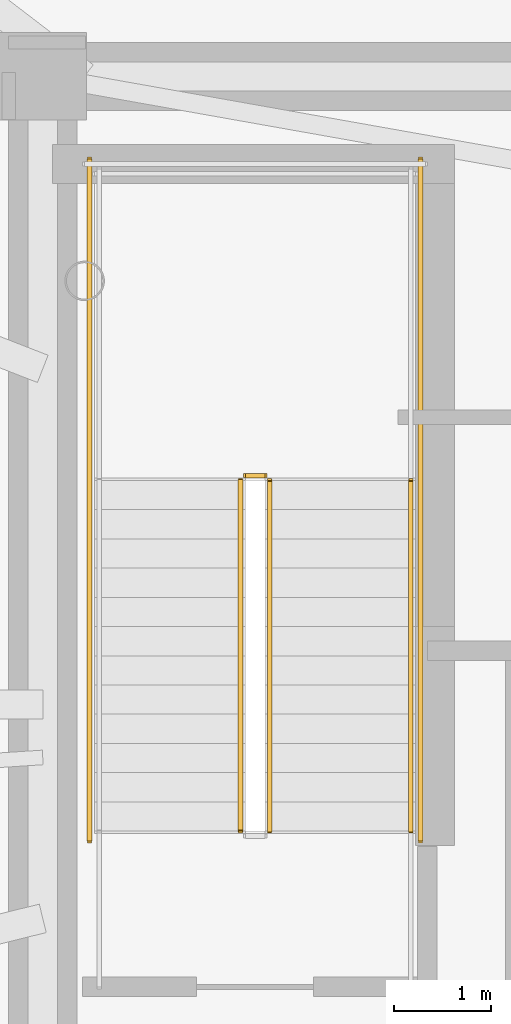
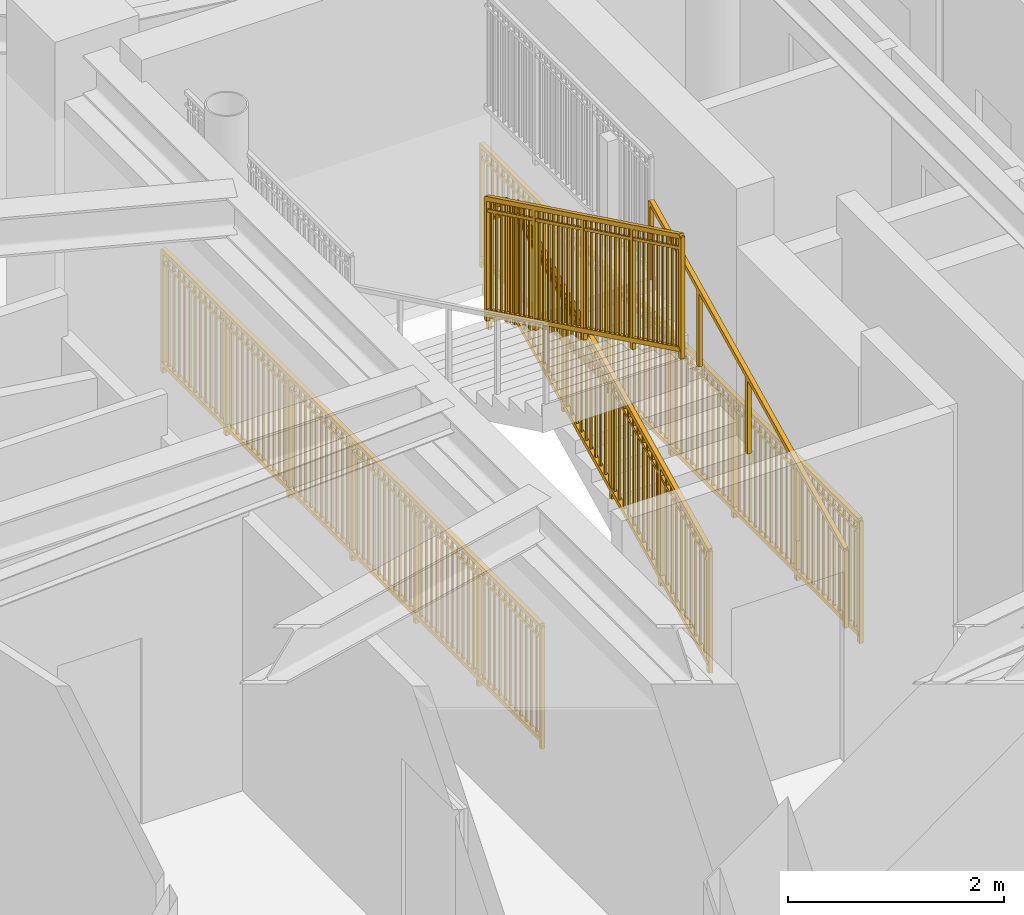
# One storey, part 15 of 17: 6 railings.
"""IFC4 building model written with IfcOpenShell, lengths in metres."""

from ifc_helpers import new_model, si_unit, direction, frame, origin, origin_2d, place, context, subcontext, project, spatial, rectangle, extrude, source, transform, mapped, material, type_object, element, save


model = new_model("IFC4")

# Units and contexts
model_context = context("Model", 3, precision=1e-05, world=origin(), true_north=direction((0.0, 1.0)))
body_context = subcontext(model_context, "Body", "Model", "MODEL_VIEW")
ifc_project = project(units=[si_unit("LENGTHUNIT", "METRE"), si_unit("AREAUNIT", "SQUARE_METRE"), si_unit("VOLUMEUNIT", "CUBIC_METRE"), si_unit("PLANEANGLEUNIT", "RADIAN"), si_unit("MASSUNIT", "GRAM", prefix="KILO")], contexts=[model_context])

# Site, building, storey
site_placement = place(None, origin())
site = spatial("IfcSite", under=ifc_project, at=site_placement, CompositionType="ELEMENT")
building_placement = place(site_placement, origin())
building = spatial("IfcBuilding", under=site, at=building_placement, Name="Linh Dai School and Residence Tower", CompositionType="ELEMENT")
storey_placement = place(building_placement, frame((0.0, 0.0, 324.0)))
storey = spatial("IfcBuildingStorey", under=building, at=storey_placement, Name="L80", CompositionType="ELEMENT", Elevation=324.0)

# Railings
ifc_material_1 = material(Name="Structural Steel S355JR", Category="steel")
railing_type_1 = type_object("IfcRailingType", Name="RL-ST-GUARD-1400", PredefinedType="GUARDRAIL", material=ifc_material_1)
shared_shape_1 = source(origin(), body_context, "Body", "SweptSolid", [
    extrude(rectangle(XDim=0.048095703125, YDim=0.048095703125, at=origin_2d()), frame((0.0, 0.0, 1.3759765625), z_axis=(-1.0, 0.0, 0.0), x_axis=(0.0, -1.0, 0.0)), (0.0, 0.0, 1.0), 0.199951171875),
    extrude(rectangle(XDim=0.048095703125, YDim=0.048095703125, at=origin_2d()), frame((0.0, 0.0, 0.10009765625), z_axis=(-1.0, 0.0, 0.0), x_axis=(0.0, -1.0, 0.0)), (0.0, 0.0, 1.0), 0.199951171875),
    extrude(rectangle(XDim=0.030029296875, YDim=0.030029296875, at=origin_2d()), frame((0.0, 0.0, 1.239990234375), z_axis=(-1.0, 0.0, 0.0), x_axis=(0.0, -1.0, 0.0)), (0.0, 0.0, 1.0), 0.199951171875),
    extrude(rectangle(XDim=0.0419921875, YDim=0.0419921875, at=origin_2d()), origin(), (0.0, 0.0, 1.0), 1.3759765625),
    extrude(rectangle(XDim=0.0419921875, YDim=0.0419921875, at=origin_2d()), frame((-0.199951171875, 0.0, 0.0)), (0.0, 0.0, 1.0), 1.3759765625),
])
railing_1_placement = place(storey_placement, frame((29.429931640625, 29.35009765625, 1.89990234375)))
element("IfcRailing", 1, at=railing_1_placement, inside=storey, type_object=railing_type_1, Name="L80 ST1 stair guard 2", PredefinedType="GUARDRAIL", context=body_context, shape_type="MappedRepresentation", body=[
    mapped(shared_shape_1, transform((0.0, 0.0, 0.0), x_axis=(1.0, 0.0, 0.0), y_axis=(0.0, 1.0, 0.0), z_axis=(0.0, 0.0, 1.0), scale=1.0)),
])
shared_shape_2 = source(origin(), body_context, "Body", "SweptSolid", [
    extrude(rectangle(XDim=0.048095703125, YDim=0.048095703125, at=origin_2d()), frame((0.0, 0.0, 1.3759765625), z_axis=(0.0, 1.0, 0.0), x_axis=(-1.0, 0.0, 0.0)), (0.0, 0.0, 1.0), 7.0),
    extrude(rectangle(XDim=0.048095703125, YDim=0.048095703125, at=origin_2d()), frame((0.0, 0.0, 0.10009765625), z_axis=(0.0, 1.0, 0.0), x_axis=(-1.0, 0.0, 0.0)), (0.0, 0.0, 1.0), 7.0),
    extrude(rectangle(XDim=0.030029296875, YDim=0.030029296875, at=origin_2d()), frame((0.0, 0.0, 1.239990234375), z_axis=(0.0, 1.0, 0.0), x_axis=(-1.0, 0.0, 0.0)), (0.0, 0.0, 1.0), 7.0),
    extrude(rectangle(XDim=0.02001953125, YDim=0.02001953125, at=origin_2d()), frame((0.0, 0.09716796875, 0.10009765625)), (0.0, 0.0, 1.0), 1.251708984375),
    extrude(rectangle(XDim=0.02001953125, YDim=0.02001953125, at=origin_2d()), frame((0.0, 0.1943359375, 0.10009765625)), (0.0, 0.0, 1.0), 1.251708984375),
    extrude(rectangle(XDim=0.02001953125, YDim=0.02001953125, at=origin_2d()), frame((0.0, 0.291748046875, 0.10009765625)), (0.0, 0.0, 1.0), 1.251708984375),
    extrude(rectangle(XDim=0.02001953125, YDim=0.02001953125, at=origin_2d()), frame((0.0, 0.388916015625, 0.10009765625)), (0.0, 0.0, 1.0), 1.251708984375),
    extrude(rectangle(XDim=0.02001953125, YDim=0.02001953125, at=origin_2d()), frame((0.0, 0.486083984375, 0.10009765625)), (0.0, 0.0, 1.0), 1.251708984375),
    extrude(rectangle(XDim=0.02001953125, YDim=0.02001953125, at=origin_2d()), frame((0.0, 0.583251953125, 0.10009765625)), (0.0, 0.0, 1.0), 1.251708984375),
    extrude(rectangle(XDim=0.02001953125, YDim=0.02001953125, at=origin_2d()), frame((0.0, 0.6806640625, 0.10009765625)), (0.0, 0.0, 1.0), 1.251708984375),
    extrude(rectangle(XDim=0.02001953125, YDim=0.02001953125, at=origin_2d()), frame((0.0, 0.77783203125, 0.10009765625)), (0.0, 0.0, 1.0), 1.251708984375),
    extrude(rectangle(XDim=0.02001953125, YDim=0.02001953125, at=origin_2d()), frame((0.0, 0.875, 0.10009765625)), (0.0, 0.0, 1.0), 1.251708984375),
    extrude(rectangle(XDim=0.02001953125, YDim=0.02001953125, at=origin_2d()), frame((0.0, 0.97216796875, 0.10009765625)), (0.0, 0.0, 1.0), 1.251708984375),
    extrude(rectangle(XDim=0.02001953125, YDim=0.02001953125, at=origin_2d()), frame((0.0, 1.0693359375, 0.10009765625)), (0.0, 0.0, 1.0), 1.251708984375),
    extrude(rectangle(XDim=0.02001953125, YDim=0.02001953125, at=origin_2d()), frame((0.0, 1.263916015625, 0.10009765625)), (0.0, 0.0, 1.0), 1.251708984375),
    extrude(rectangle(XDim=0.02001953125, YDim=0.02001953125, at=origin_2d()), frame((0.0, 1.361083984375, 0.10009765625)), (0.0, 0.0, 1.0), 1.251708984375),
    extrude(rectangle(XDim=0.02001953125, YDim=0.02001953125, at=origin_2d()), frame((0.0, 1.458251953125, 0.10009765625)), (0.0, 0.0, 1.0), 1.251708984375),
    extrude(rectangle(XDim=0.02001953125, YDim=0.02001953125, at=origin_2d()), frame((0.0, 1.5556640625, 0.10009765625)), (0.0, 0.0, 1.0), 1.251708984375),
    extrude(rectangle(XDim=0.02001953125, YDim=0.02001953125, at=origin_2d()), frame((0.0, 1.65283203125, 0.10009765625)), (0.0, 0.0, 1.0), 1.251708984375),
    extrude(rectangle(XDim=0.02001953125, YDim=0.02001953125, at=origin_2d()), frame((0.0, 1.75, 0.10009765625)), (0.0, 0.0, 1.0), 1.251708984375),
    extrude(rectangle(XDim=0.02001953125, YDim=0.02001953125, at=origin_2d()), frame((0.0, 1.84716796875, 0.10009765625)), (0.0, 0.0, 1.0), 1.251708984375),
    extrude(rectangle(XDim=0.02001953125, YDim=0.02001953125, at=origin_2d()), frame((0.0, 1.9443359375, 0.10009765625)), (0.0, 0.0, 1.0), 1.251708984375),
    extrude(rectangle(XDim=0.02001953125, YDim=0.02001953125, at=origin_2d()), frame((0.0, 2.041748046875, 0.10009765625)), (0.0, 0.0, 1.0), 1.251708984375),
    extrude(rectangle(XDim=0.02001953125, YDim=0.02001953125, at=origin_2d()), frame((0.0, 2.138916015625, 0.10009765625)), (0.0, 0.0, 1.0), 1.251708984375),
    extrude(rectangle(XDim=0.02001953125, YDim=0.02001953125, at=origin_2d()), frame((0.0, 2.236083984375, 0.10009765625)), (0.0, 0.0, 1.0), 1.251708984375),
    extrude(rectangle(XDim=0.02001953125, YDim=0.02001953125, at=origin_2d()), frame((0.0, 2.4306640625, 0.10009765625)), (0.0, 0.0, 1.0), 1.251708984375),
    extrude(rectangle(XDim=0.02001953125, YDim=0.02001953125, at=origin_2d()), frame((0.0, 2.52783203125, 0.10009765625)), (0.0, 0.0, 1.0), 1.251708984375),
    extrude(rectangle(XDim=0.02001953125, YDim=0.02001953125, at=origin_2d()), frame((0.0, 2.625, 0.10009765625)), (0.0, 0.0, 1.0), 1.251708984375),
    extrude(rectangle(XDim=0.02001953125, YDim=0.02001953125, at=origin_2d()), frame((0.0, 2.72216796875, 0.10009765625)), (0.0, 0.0, 1.0), 1.251708984375),
    extrude(rectangle(XDim=0.02001953125, YDim=0.02001953125, at=origin_2d()), frame((0.0, 2.8193359375, 0.10009765625)), (0.0, 0.0, 1.0), 1.251708984375),
    extrude(rectangle(XDim=0.02001953125, YDim=0.02001953125, at=origin_2d()), frame((0.0, 2.916748046875, 0.10009765625)), (0.0, 0.0, 1.0), 1.251708984375),
    extrude(rectangle(XDim=0.02001953125, YDim=0.02001953125, at=origin_2d()), frame((0.0, 3.013916015625, 0.10009765625)), (0.0, 0.0, 1.0), 1.251708984375),
    extrude(rectangle(XDim=0.02001953125, YDim=0.02001953125, at=origin_2d()), frame((0.0, 3.111083984375, 0.10009765625)), (0.0, 0.0, 1.0), 1.251708984375),
    extrude(rectangle(XDim=0.02001953125, YDim=0.02001953125, at=origin_2d()), frame((0.0, 3.208251953125, 0.10009765625)), (0.0, 0.0, 1.0), 1.251708984375),
    extrude(rectangle(XDim=0.02001953125, YDim=0.02001953125, at=origin_2d()), frame((0.0, 3.3056640625, 0.10009765625)), (0.0, 0.0, 1.0), 1.251708984375),
    extrude(rectangle(XDim=0.02001953125, YDim=0.02001953125, at=origin_2d()), frame((0.0, 3.40283203125, 0.10009765625)), (0.0, 0.0, 1.0), 1.251708984375),
    extrude(rectangle(XDim=0.02001953125, YDim=0.02001953125, at=origin_2d()), frame((0.0, 3.59716796875, 0.10009765625)), (0.0, 0.0, 1.0), 1.251708984375),
    extrude(rectangle(XDim=0.02001953125, YDim=0.02001953125, at=origin_2d()), frame((0.0, 3.6943359375, 0.10009765625)), (0.0, 0.0, 1.0), 1.251708984375),
    extrude(rectangle(XDim=0.02001953125, YDim=0.02001953125, at=origin_2d()), frame((0.0, 3.791748046875, 0.10009765625)), (0.0, 0.0, 1.0), 1.251708984375),
    extrude(rectangle(XDim=0.02001953125, YDim=0.02001953125, at=origin_2d()), frame((0.0, 3.888916015625, 0.10009765625)), (0.0, 0.0, 1.0), 1.251708984375),
    extrude(rectangle(XDim=0.02001953125, YDim=0.02001953125, at=origin_2d()), frame((0.0, 3.986083984375, 0.10009765625)), (0.0, 0.0, 1.0), 1.251708984375),
    extrude(rectangle(XDim=0.02001953125, YDim=0.02001953125, at=origin_2d()), frame((0.0, 4.083251953125, 0.10009765625)), (0.0, 0.0, 1.0), 1.251708984375),
    extrude(rectangle(XDim=0.02001953125, YDim=0.02001953125, at=origin_2d()), frame((0.0, 4.1806640625, 0.10009765625)), (0.0, 0.0, 1.0), 1.251708984375),
    extrude(rectangle(XDim=0.02001953125, YDim=0.02001953125, at=origin_2d()), frame((0.0, 4.27783203125, 0.10009765625)), (0.0, 0.0, 1.0), 1.251708984375),
    extrude(rectangle(XDim=0.02001953125, YDim=0.02001953125, at=origin_2d()), frame((0.0, 4.375, 0.10009765625)), (0.0, 0.0, 1.0), 1.251708984375),
    extrude(rectangle(XDim=0.02001953125, YDim=0.02001953125, at=origin_2d()), frame((0.0, 4.47216796875, 0.10009765625)), (0.0, 0.0, 1.0), 1.251708984375),
    extrude(rectangle(XDim=0.02001953125, YDim=0.02001953125, at=origin_2d()), frame((0.0, 4.5693359375, 0.10009765625)), (0.0, 0.0, 1.0), 1.251708984375),
    extrude(rectangle(XDim=0.02001953125, YDim=0.02001953125, at=origin_2d()), frame((0.0, 4.763916015625, 0.10009765625)), (0.0, 0.0, 1.0), 1.251708984375),
    extrude(rectangle(XDim=0.02001953125, YDim=0.02001953125, at=origin_2d()), frame((0.0, 4.861083984375, 0.10009765625)), (0.0, 0.0, 1.0), 1.251708984375),
    extrude(rectangle(XDim=0.02001953125, YDim=0.02001953125, at=origin_2d()), frame((0.0, 4.958251953125, 0.10009765625)), (0.0, 0.0, 1.0), 1.251708984375),
    extrude(rectangle(XDim=0.02001953125, YDim=0.02001953125, at=origin_2d()), frame((0.0, 5.0556640625, 0.10009765625)), (0.0, 0.0, 1.0), 1.251708984375),
    extrude(rectangle(XDim=0.02001953125, YDim=0.02001953125, at=origin_2d()), frame((0.0, 5.15283203125, 0.10009765625)), (0.0, 0.0, 1.0), 1.251708984375),
    extrude(rectangle(XDim=0.02001953125, YDim=0.02001953125, at=origin_2d()), frame((0.0, 5.25, 0.10009765625)), (0.0, 0.0, 1.0), 1.251708984375),
    extrude(rectangle(XDim=0.02001953125, YDim=0.02001953125, at=origin_2d()), frame((0.0, 5.34716796875, 0.10009765625)), (0.0, 0.0, 1.0), 1.251708984375),
    extrude(rectangle(XDim=0.02001953125, YDim=0.02001953125, at=origin_2d()), frame((0.0, 5.4443359375, 0.10009765625)), (0.0, 0.0, 1.0), 1.251708984375),
    extrude(rectangle(XDim=0.02001953125, YDim=0.02001953125, at=origin_2d()), frame((0.0, 5.541748046875, 0.10009765625)), (0.0, 0.0, 1.0), 1.251708984375),
    extrude(rectangle(XDim=0.02001953125, YDim=0.02001953125, at=origin_2d()), frame((0.0, 5.638916015625, 0.10009765625)), (0.0, 0.0, 1.0), 1.251708984375),
    extrude(rectangle(XDim=0.02001953125, YDim=0.02001953125, at=origin_2d()), frame((0.0, 5.736083984375, 0.10009765625)), (0.0, 0.0, 1.0), 1.251708984375),
    extrude(rectangle(XDim=0.02001953125, YDim=0.02001953125, at=origin_2d()), frame((0.0, 5.9306640625, 0.10009765625)), (0.0, 0.0, 1.0), 1.251708984375),
    extrude(rectangle(XDim=0.02001953125, YDim=0.02001953125, at=origin_2d()), frame((0.0, 6.02783203125, 0.10009765625)), (0.0, 0.0, 1.0), 1.251708984375),
    extrude(rectangle(XDim=0.02001953125, YDim=0.02001953125, at=origin_2d()), frame((0.0, 6.125, 0.10009765625)), (0.0, 0.0, 1.0), 1.251708984375),
    extrude(rectangle(XDim=0.02001953125, YDim=0.02001953125, at=origin_2d()), frame((0.0, 6.22216796875, 0.10009765625)), (0.0, 0.0, 1.0), 1.251708984375),
    extrude(rectangle(XDim=0.02001953125, YDim=0.02001953125, at=origin_2d()), frame((0.0, 6.3193359375, 0.10009765625)), (0.0, 0.0, 1.0), 1.251708984375),
    extrude(rectangle(XDim=0.02001953125, YDim=0.02001953125, at=origin_2d()), frame((0.0, 6.416748046875, 0.10009765625)), (0.0, 0.0, 1.0), 1.251708984375),
    extrude(rectangle(XDim=0.02001953125, YDim=0.02001953125, at=origin_2d()), frame((0.0, 6.513916015625, 0.10009765625)), (0.0, 0.0, 1.0), 1.251708984375),
    extrude(rectangle(XDim=0.02001953125, YDim=0.02001953125, at=origin_2d()), frame((0.0, 6.611083984375, 0.10009765625)), (0.0, 0.0, 1.0), 1.251708984375),
    extrude(rectangle(XDim=0.02001953125, YDim=0.02001953125, at=origin_2d()), frame((0.0, 6.708251953125, 0.10009765625)), (0.0, 0.0, 1.0), 1.251708984375),
    extrude(rectangle(XDim=0.02001953125, YDim=0.02001953125, at=origin_2d()), frame((0.0, 6.8056640625, 0.10009765625)), (0.0, 0.0, 1.0), 1.251708984375),
    extrude(rectangle(XDim=0.02001953125, YDim=0.02001953125, at=origin_2d()), frame((0.0, 6.90283203125, 0.10009765625)), (0.0, 0.0, 1.0), 1.251708984375),
    extrude(rectangle(XDim=0.0419921875, YDim=0.0419921875, at=origin_2d()), origin(), (0.0, 0.0, 1.0), 1.3759765625),
    extrude(rectangle(XDim=0.0419921875, YDim=0.0419921875, at=origin_2d()), frame((0.0, 1.166748046875, 0.0)), (0.0, 0.0, 1.0), 1.3759765625),
    extrude(rectangle(XDim=0.0419921875, YDim=0.0419921875, at=origin_2d()), frame((0.0, 2.333251953125, 0.0)), (0.0, 0.0, 1.0), 1.3759765625),
    extrude(rectangle(XDim=0.0419921875, YDim=0.0419921875, at=origin_2d()), frame((0.0, 3.5, 0.0)), (0.0, 0.0, 1.0), 1.3759765625),
    extrude(rectangle(XDim=0.0419921875, YDim=0.0419921875, at=origin_2d()), frame((0.0, 4.666748046875, 0.0)), (0.0, 0.0, 1.0), 1.3759765625),
    extrude(rectangle(XDim=0.0419921875, YDim=0.0419921875, at=origin_2d()), frame((0.0, 5.833251953125, 0.0)), (0.0, 0.0, 1.0), 1.3759765625),
    extrude(rectangle(XDim=0.0419921875, YDim=0.0419921875, at=origin_2d()), frame((0.0, 7.0, 0.0)), (0.0, 0.0, 1.0), 1.3759765625),
])
for number, where, name in (
    (2, (31.030029296875, 25.60009765625, 0.0), "L80 ST1 stair guard 10"),
    (3, (27.6298828125, 25.60009765625, 0.0), "L80 ST1 stair guard 11"),
):
    element("IfcRailing", number, at=place(storey_placement, frame(where)), inside=storey, type_object=railing_type_1, Name=name, PredefinedType="GUARDRAIL", context=body_context, shape_type="MappedRepresentation", body=[
        mapped(shared_shape_2, transform((0.0, 0.0, 0.0), x_axis=(1.0, 0.0, 0.0), y_axis=(0.0, 1.0, 0.0), z_axis=(0.0, 0.0, 1.0), scale=1.0)),
    ])
shared_shape_3 = source(origin(), body_context, "Body", "SweptSolid", [
    extrude(rectangle(XDim=0.048095703125, YDim=0.048095703125, at=origin_2d()), frame((0.0, 0.0, 1.3759765625), z_axis=(0.0, 0.899012640991, 0.437922677352), x_axis=(-1.0, 0.0, 0.0)), (0.0, 0.0, 1.0), 4.00439453125),
    extrude(rectangle(XDim=0.048095703125, YDim=0.048095703125, at=origin_2d()), frame((0.0, 0.0, 0.10009765625), z_axis=(0.0, 0.899012640991, 0.437922677352), x_axis=(-1.0, 0.0, 0.0)), (0.0, 0.0, 1.0), 4.00439453125),
    extrude(rectangle(XDim=0.030029296875, YDim=0.030029296875, at=origin_2d()), frame((0.0, 0.0, 1.239990234375), z_axis=(0.0, 0.899012640991, 0.437922677352), x_axis=(-1.0, 0.0, 0.0)), (0.0, 0.0, 1.0), 4.00439453125),
    extrude(rectangle(XDim=0.02001953125, YDim=0.02001953125, at=origin_2d()), frame((0.0, 0.087890625, 0.142822265625)), (0.0, 0.0, 1.0), 1.251708984375),
    extrude(rectangle(XDim=0.02001953125, YDim=0.02001953125, at=origin_2d()), frame((0.0, 0.175537109375, 0.185546875)), (0.0, 0.0, 1.0), 1.251708984375),
    extrude(rectangle(XDim=0.02001953125, YDim=0.02001953125, at=origin_2d()), frame((0.0, 0.263427734375, 0.228515625)), (0.0, 0.0, 1.0), 1.251708984375),
    extrude(rectangle(XDim=0.02001953125, YDim=0.02001953125, at=origin_2d()), frame((0.0, 0.351318359375, 0.271240234375)), (0.0, 0.0, 1.0), 1.251708984375),
    extrude(rectangle(XDim=0.02001953125, YDim=0.02001953125, at=origin_2d()), frame((0.0, 0.43896484375, 0.31396484375)), (0.0, 0.0, 1.0), 1.251708984375),
    extrude(rectangle(XDim=0.02001953125, YDim=0.02001953125, at=origin_2d()), frame((0.0, 0.52685546875, 0.356689453125)), (0.0, 0.0, 1.0), 1.251708984375),
    extrude(rectangle(XDim=0.02001953125, YDim=0.02001953125, at=origin_2d()), frame((0.0, 0.61474609375, 0.3994140625)), (0.0, 0.0, 1.0), 1.251708984375),
    extrude(rectangle(XDim=0.02001953125, YDim=0.02001953125, at=origin_2d()), frame((0.0, 0.702392578125, 0.4423828125)), (0.0, 0.0, 1.0), 1.251708984375),
    extrude(rectangle(XDim=0.02001953125, YDim=0.02001953125, at=origin_2d()), frame((0.0, 0.790283203125, 0.485107421875)), (0.0, 0.0, 1.0), 1.251708984375),
    extrude(rectangle(XDim=0.02001953125, YDim=0.02001953125, at=origin_2d()), frame((0.0, 0.9658203125, 0.570556640625)), (0.0, 0.0, 1.0), 1.251708984375),
    extrude(rectangle(XDim=0.02001953125, YDim=0.02001953125, at=origin_2d()), frame((0.0, 1.0537109375, 0.61328125)), (0.0, 0.0, 1.0), 1.251708984375),
    extrude(rectangle(XDim=0.02001953125, YDim=0.02001953125, at=origin_2d()), frame((0.0, 1.1416015625, 0.65625)), (0.0, 0.0, 1.0), 1.251708984375),
    extrude(rectangle(XDim=0.02001953125, YDim=0.02001953125, at=origin_2d()), frame((0.0, 1.229248046875, 0.698974609375)), (0.0, 0.0, 1.0), 1.251708984375),
    extrude(rectangle(XDim=0.02001953125, YDim=0.02001953125, at=origin_2d()), frame((0.0, 1.317138671875, 0.74169921875)), (0.0, 0.0, 1.0), 1.251708984375),
    extrude(rectangle(XDim=0.02001953125, YDim=0.02001953125, at=origin_2d()), frame((0.0, 1.405029296875, 0.784423828125)), (0.0, 0.0, 1.0), 1.251708984375),
    extrude(rectangle(XDim=0.02001953125, YDim=0.02001953125, at=origin_2d()), frame((0.0, 1.49267578125, 0.8271484375)), (0.0, 0.0, 1.0), 1.251708984375),
    extrude(rectangle(XDim=0.02001953125, YDim=0.02001953125, at=origin_2d()), frame((0.0, 1.58056640625, 0.8701171875)), (0.0, 0.0, 1.0), 1.251708984375),
    extrude(rectangle(XDim=0.02001953125, YDim=0.02001953125, at=origin_2d()), frame((0.0, 1.66845703125, 0.912841796875)), (0.0, 0.0, 1.0), 1.251708984375),
    extrude(rectangle(XDim=0.02001953125, YDim=0.02001953125, at=origin_2d()), frame((0.0, 1.756103515625, 0.95556640625)), (0.0, 0.0, 1.0), 1.251708984375),
    extrude(rectangle(XDim=0.02001953125, YDim=0.02001953125, at=origin_2d()), frame((0.0, 1.843994140625, 0.998291015625)), (0.0, 0.0, 1.0), 1.251708984375),
    extrude(rectangle(XDim=0.02001953125, YDim=0.02001953125, at=origin_2d()), frame((0.0, 1.931640625, 1.041015625)), (0.0, 0.0, 1.0), 1.251708984375),
    extrude(rectangle(XDim=0.02001953125, YDim=0.02001953125, at=origin_2d()), frame((0.0, 2.01953125, 1.083740234375)), (0.0, 0.0, 1.0), 1.251708984375),
    extrude(rectangle(XDim=0.02001953125, YDim=0.02001953125, at=origin_2d()), frame((0.0, 2.107421875, 1.126708984375)), (0.0, 0.0, 1.0), 1.251708984375),
    extrude(rectangle(XDim=0.02001953125, YDim=0.02001953125, at=origin_2d()), frame((0.0, 2.195068359375, 1.16943359375)), (0.0, 0.0, 1.0), 1.251708984375),
    extrude(rectangle(XDim=0.02001953125, YDim=0.02001953125, at=origin_2d()), frame((0.0, 2.282958984375, 1.212158203125)), (0.0, 0.0, 1.0), 1.251708984375),
    extrude(rectangle(XDim=0.02001953125, YDim=0.02001953125, at=origin_2d()), frame((0.0, 2.370849609375, 1.2548828125)), (0.0, 0.0, 1.0), 1.251708984375),
    extrude(rectangle(XDim=0.02001953125, YDim=0.02001953125, at=origin_2d()), frame((0.0, 2.45849609375, 1.297607421875)), (0.0, 0.0, 1.0), 1.251708984375),
    extrude(rectangle(XDim=0.02001953125, YDim=0.02001953125, at=origin_2d()), frame((0.0, 2.54638671875, 1.340576171875)), (0.0, 0.0, 1.0), 1.251708984375),
    extrude(rectangle(XDim=0.02001953125, YDim=0.02001953125, at=origin_2d()), frame((0.0, 2.63427734375, 1.38330078125)), (0.0, 0.0, 1.0), 1.251708984375),
    extrude(rectangle(XDim=0.02001953125, YDim=0.02001953125, at=origin_2d()), frame((0.0, 2.809814453125, 1.46875)), (0.0, 0.0, 1.0), 1.251708984375),
    extrude(rectangle(XDim=0.02001953125, YDim=0.02001953125, at=origin_2d()), frame((0.0, 2.897705078125, 1.511474609375)), (0.0, 0.0, 1.0), 1.251708984375),
    extrude(rectangle(XDim=0.02001953125, YDim=0.02001953125, at=origin_2d()), frame((0.0, 2.9853515625, 1.554443359375)), (0.0, 0.0, 1.0), 1.251708984375),
    extrude(rectangle(XDim=0.02001953125, YDim=0.02001953125, at=origin_2d()), frame((0.0, 3.0732421875, 1.59716796875)), (0.0, 0.0, 1.0), 1.251708984375),
    extrude(rectangle(XDim=0.02001953125, YDim=0.02001953125, at=origin_2d()), frame((0.0, 3.1611328125, 1.639892578125)), (0.0, 0.0, 1.0), 1.251708984375),
    extrude(rectangle(XDim=0.02001953125, YDim=0.02001953125, at=origin_2d()), frame((0.0, 3.248779296875, 1.6826171875)), (0.0, 0.0, 1.0), 1.251708984375),
    extrude(rectangle(XDim=0.02001953125, YDim=0.02001953125, at=origin_2d()), frame((0.0, 3.336669921875, 1.725341796875)), (0.0, 0.0, 1.0), 1.251708984375),
    extrude(rectangle(XDim=0.02001953125, YDim=0.02001953125, at=origin_2d()), frame((0.0, 3.424560546875, 1.768310546875)), (0.0, 0.0, 1.0), 1.251708984375),
    extrude(rectangle(XDim=0.02001953125, YDim=0.02001953125, at=origin_2d()), frame((0.0, 3.51220703125, 1.81103515625)), (0.0, 0.0, 1.0), 1.251708984375),
    extrude(rectangle(XDim=0.0419921875, YDim=0.0419921875, at=origin_2d()), origin(), (0.0, 0.0, 1.0), 1.3759765625),
    extrude(rectangle(XDim=0.0419921875, YDim=0.0419921875, at=origin_2d()), frame((0.0, 0.89990234375, 0.4384765625)), (0.0, 0.0, 1.0), 1.3759765625),
    extrude(rectangle(XDim=0.0419921875, YDim=0.0419921875, at=origin_2d()), frame((0.0, 1.800048828125, 0.876953125)), (0.0, 0.0, 1.0), 1.3759765625),
    extrude(rectangle(XDim=0.0419921875, YDim=0.0419921875, at=origin_2d()), frame((0.0, 2.7001953125, 1.315185546875)), (0.0, 0.0, 1.0), 1.3759765625),
    extrude(rectangle(XDim=0.0419921875, YDim=0.0419921875, at=origin_2d()), frame((0.0, 3.60009765625, 1.753662109375)), (0.0, 0.0, 1.0), 1.3759765625),
])
railing_2_placement = place(storey_placement, frame((29.47998046875, 25.699951171875, 0.146240234375)))
element("IfcRailing", 4, at=railing_2_placement, inside=storey, type_object=railing_type_1, Name="L80 ST1 stair guard 1", PredefinedType="GUARDRAIL", context=body_context, shape_type="MappedRepresentation", body=[
    mapped(shared_shape_3, transform((0.0, 0.0, 0.0), x_axis=(1.0, 0.0, 0.0), y_axis=(0.0, 1.0, 0.0), z_axis=(0.0, 0.0, 1.0), scale=1.0)),
])
shared_shape_4 = source(origin(), body_context, "Body", "SweptSolid", [
    extrude(rectangle(XDim=0.048095703125, YDim=0.048095703125, at=origin_2d()), frame((0.0, 0.0, 1.3759765625), z_axis=(0.0, -0.898988637874, 0.437971949985), x_axis=(1.0, 0.0, 0.0)), (0.0, 0.0, 1.0), 4.004638671875),
    extrude(rectangle(XDim=0.048095703125, YDim=0.048095703125, at=origin_2d()), frame((0.0, 0.0, 0.10009765625), z_axis=(0.0, -0.898988637874, 0.437971949985), x_axis=(1.0, 0.0, 0.0)), (0.0, 0.0, 1.0), 4.004638671875),
    extrude(rectangle(XDim=0.030029296875, YDim=0.030029296875, at=origin_2d()), frame((0.0, 0.0, 1.239990234375), z_axis=(0.0, -0.898988637874, 0.437971949985), x_axis=(1.0, 0.0, 0.0)), (0.0, 0.0, 1.0), 4.004638671875),
    extrude(rectangle(XDim=0.02001953125, YDim=0.02001953125, at=origin_2d()), frame((0.0, -0.087890625, 0.142822265625)), (0.0, 0.0, 1.0), 1.251708984375),
    extrude(rectangle(XDim=0.02001953125, YDim=0.02001953125, at=origin_2d()), frame((0.0, -0.175537109375, 0.185546875)), (0.0, 0.0, 1.0), 1.251708984375),
    extrude(rectangle(XDim=0.02001953125, YDim=0.02001953125, at=origin_2d()), frame((0.0, -0.263427734375, 0.228515625)), (0.0, 0.0, 1.0), 1.251708984375),
    extrude(rectangle(XDim=0.02001953125, YDim=0.02001953125, at=origin_2d()), frame((0.0, -0.351318359375, 0.271240234375)), (0.0, 0.0, 1.0), 1.251708984375),
    extrude(rectangle(XDim=0.02001953125, YDim=0.02001953125, at=origin_2d()), frame((0.0, -0.43896484375, 0.31396484375)), (0.0, 0.0, 1.0), 1.251708984375),
    extrude(rectangle(XDim=0.02001953125, YDim=0.02001953125, at=origin_2d()), frame((0.0, -0.52685546875, 0.356689453125)), (0.0, 0.0, 1.0), 1.251708984375),
    extrude(rectangle(XDim=0.02001953125, YDim=0.02001953125, at=origin_2d()), frame((0.0, -0.61474609375, 0.399658203125)), (0.0, 0.0, 1.0), 1.251708984375),
    extrude(rectangle(XDim=0.02001953125, YDim=0.02001953125, at=origin_2d()), frame((0.0, -0.702392578125, 0.4423828125)), (0.0, 0.0, 1.0), 1.251708984375),
    extrude(rectangle(XDim=0.02001953125, YDim=0.02001953125, at=origin_2d()), frame((0.0, -0.790283203125, 0.485107421875)), (0.0, 0.0, 1.0), 1.251708984375),
    extrude(rectangle(XDim=0.02001953125, YDim=0.02001953125, at=origin_2d()), frame((0.0, -0.9658203125, 0.570556640625)), (0.0, 0.0, 1.0), 1.251708984375),
    extrude(rectangle(XDim=0.02001953125, YDim=0.02001953125, at=origin_2d()), frame((0.0, -1.0537109375, 0.613525390625)), (0.0, 0.0, 1.0), 1.251708984375),
    extrude(rectangle(XDim=0.02001953125, YDim=0.02001953125, at=origin_2d()), frame((0.0, -1.1416015625, 0.65625)), (0.0, 0.0, 1.0), 1.251708984375),
    extrude(rectangle(XDim=0.02001953125, YDim=0.02001953125, at=origin_2d()), frame((0.0, -1.229248046875, 0.698974609375)), (0.0, 0.0, 1.0), 1.251708984375),
    extrude(rectangle(XDim=0.02001953125, YDim=0.02001953125, at=origin_2d()), frame((0.0, -1.317138671875, 0.74169921875)), (0.0, 0.0, 1.0), 1.251708984375),
    extrude(rectangle(XDim=0.02001953125, YDim=0.02001953125, at=origin_2d()), frame((0.0, -1.405029296875, 0.78466796875)), (0.0, 0.0, 1.0), 1.251708984375),
    extrude(rectangle(XDim=0.02001953125, YDim=0.02001953125, at=origin_2d()), frame((0.0, -1.49267578125, 0.827392578125)), (0.0, 0.0, 1.0), 1.251708984375),
    extrude(rectangle(XDim=0.02001953125, YDim=0.02001953125, at=origin_2d()), frame((0.0, -1.58056640625, 0.8701171875)), (0.0, 0.0, 1.0), 1.251708984375),
    extrude(rectangle(XDim=0.02001953125, YDim=0.02001953125, at=origin_2d()), frame((0.0, -1.66845703125, 0.912841796875)), (0.0, 0.0, 1.0), 1.251708984375),
    extrude(rectangle(XDim=0.02001953125, YDim=0.02001953125, at=origin_2d()), frame((0.0, -1.756103515625, 0.95556640625)), (0.0, 0.0, 1.0), 1.251708984375),
    extrude(rectangle(XDim=0.02001953125, YDim=0.02001953125, at=origin_2d()), frame((0.0, -1.843994140625, 0.99853515625)), (0.0, 0.0, 1.0), 1.251708984375),
    extrude(rectangle(XDim=0.02001953125, YDim=0.02001953125, at=origin_2d()), frame((0.0, -1.931640625, 1.041259765625)), (0.0, 0.0, 1.0), 1.251708984375),
    extrude(rectangle(XDim=0.02001953125, YDim=0.02001953125, at=origin_2d()), frame((0.0, -2.01953125, 1.083984375)), (0.0, 0.0, 1.0), 1.251708984375),
    extrude(rectangle(XDim=0.02001953125, YDim=0.02001953125, at=origin_2d()), frame((0.0, -2.107421875, 1.126708984375)), (0.0, 0.0, 1.0), 1.251708984375),
    extrude(rectangle(XDim=0.02001953125, YDim=0.02001953125, at=origin_2d()), frame((0.0, -2.195068359375, 1.16943359375)), (0.0, 0.0, 1.0), 1.251708984375),
    extrude(rectangle(XDim=0.02001953125, YDim=0.02001953125, at=origin_2d()), frame((0.0, -2.282958984375, 1.21240234375)), (0.0, 0.0, 1.0), 1.251708984375),
    extrude(rectangle(XDim=0.02001953125, YDim=0.02001953125, at=origin_2d()), frame((0.0, -2.370849609375, 1.255126953125)), (0.0, 0.0, 1.0), 1.251708984375),
    extrude(rectangle(XDim=0.02001953125, YDim=0.02001953125, at=origin_2d()), frame((0.0, -2.45849609375, 1.2978515625)), (0.0, 0.0, 1.0), 1.251708984375),
    extrude(rectangle(XDim=0.02001953125, YDim=0.02001953125, at=origin_2d()), frame((0.0, -2.54638671875, 1.340576171875)), (0.0, 0.0, 1.0), 1.251708984375),
    extrude(rectangle(XDim=0.02001953125, YDim=0.02001953125, at=origin_2d()), frame((0.0, -2.63427734375, 1.383544921875)), (0.0, 0.0, 1.0), 1.251708984375),
    extrude(rectangle(XDim=0.02001953125, YDim=0.02001953125, at=origin_2d()), frame((0.0, -2.809814453125, 1.468994140625)), (0.0, 0.0, 1.0), 1.251708984375),
    extrude(rectangle(XDim=0.02001953125, YDim=0.02001953125, at=origin_2d()), frame((0.0, -2.897705078125, 1.51171875)), (0.0, 0.0, 1.0), 1.251708984375),
    extrude(rectangle(XDim=0.02001953125, YDim=0.02001953125, at=origin_2d()), frame((0.0, -2.9853515625, 1.554443359375)), (0.0, 0.0, 1.0), 1.251708984375),
    extrude(rectangle(XDim=0.02001953125, YDim=0.02001953125, at=origin_2d()), frame((0.0, -3.0732421875, 1.597412109375)), (0.0, 0.0, 1.0), 1.251708984375),
    extrude(rectangle(XDim=0.02001953125, YDim=0.02001953125, at=origin_2d()), frame((0.0, -3.1611328125, 1.64013671875)), (0.0, 0.0, 1.0), 1.251708984375),
    extrude(rectangle(XDim=0.02001953125, YDim=0.02001953125, at=origin_2d()), frame((0.0, -3.248779296875, 1.682861328125)), (0.0, 0.0, 1.0), 1.251708984375),
    extrude(rectangle(XDim=0.02001953125, YDim=0.02001953125, at=origin_2d()), frame((0.0, -3.336669921875, 1.7255859375)), (0.0, 0.0, 1.0), 1.251708984375),
    extrude(rectangle(XDim=0.02001953125, YDim=0.02001953125, at=origin_2d()), frame((0.0, -3.424560546875, 1.7685546875)), (0.0, 0.0, 1.0), 1.251708984375),
    extrude(rectangle(XDim=0.02001953125, YDim=0.02001953125, at=origin_2d()), frame((0.0, -3.51220703125, 1.811279296875)), (0.0, 0.0, 1.0), 1.251708984375),
    extrude(rectangle(XDim=0.0419921875, YDim=0.0419921875, at=origin_2d()), origin(), (0.0, 0.0, 1.0), 1.3759765625),
    extrude(rectangle(XDim=0.0419921875, YDim=0.0419921875, at=origin_2d()), frame((0.0, -0.89990234375, 0.4384765625)), (0.0, 0.0, 1.0), 1.3759765625),
    extrude(rectangle(XDim=0.0419921875, YDim=0.0419921875, at=origin_2d()), frame((0.0, -1.800048828125, 0.876953125)), (0.0, 0.0, 1.0), 1.3759765625),
    extrude(rectangle(XDim=0.0419921875, YDim=0.0419921875, at=origin_2d()), frame((0.0, -2.7001953125, 1.3154296875)), (0.0, 0.0, 1.0), 1.3759765625),
    extrude(rectangle(XDim=0.0419921875, YDim=0.0419921875, at=origin_2d()), frame((0.0, -3.60009765625, 1.75390625)), (0.0, 0.0, 1.0), 1.3759765625),
])
railing_3_placement = place(storey_placement, frame((29.179931640625, 29.300048828125, 2.046142578125)))
element("IfcRailing", 5, at=railing_3_placement, inside=storey, type_object=railing_type_1, Name="L80 ST1 stair guard 6", PredefinedType="GUARDRAIL", context=body_context, shape_type="MappedRepresentation", body=[
    mapped(shared_shape_4, transform((0.0, 0.0, 0.0), x_axis=(1.0, 0.0, 0.0), y_axis=(0.0, 1.0, 0.0), z_axis=(0.0, 0.0, 1.0), scale=1.0)),
])
ifc_material_2 = material(Name="Brushed Stainless Steel Handrail", Category="steel")
railing_type_2 = type_object("IfcRailingType", Name="RL-ST-HANDRAIL-900", PredefinedType="HANDRAIL", material=ifc_material_2)
shared_shape_5 = source(origin(), body_context, "Body", "SweptSolid", [
    extrude(rectangle(XDim=0.048095703125, YDim=0.048095703125, at=origin_2d()), frame((0.0, 0.0, 0.8759765625), z_axis=(0.0, 0.899012640991, 0.437922677352), x_axis=(-1.0, 0.0, 0.0)), (0.0, 0.0, 1.0), 4.00439453125),
    extrude(rectangle(XDim=0.0419921875, YDim=0.0419921875, at=origin_2d()), origin(), (0.0, 0.0, 1.0), 0.8759765625),
    extrude(rectangle(XDim=0.0419921875, YDim=0.0419921875, at=origin_2d()), frame((0.0, 0.89990234375, 0.4384765625)), (0.0, 0.0, 1.0), 0.8759765625),
    extrude(rectangle(XDim=0.0419921875, YDim=0.0419921875, at=origin_2d()), frame((0.0, 1.800048828125, 0.876953125)), (0.0, 0.0, 1.0), 0.8759765625),
    extrude(rectangle(XDim=0.0419921875, YDim=0.0419921875, at=origin_2d()), frame((0.0, 2.7001953125, 1.315185546875)), (0.0, 0.0, 1.0), 0.8759765625),
    extrude(rectangle(XDim=0.0419921875, YDim=0.0419921875, at=origin_2d()), frame((0.0, 3.60009765625, 1.753662109375)), (0.0, 0.0, 1.0), 0.8759765625),
])
railing_4_placement = place(storey_placement, frame((30.929931640625, 25.699951171875, 0.146240234375)))
element("IfcRailing", 6, at=railing_4_placement, inside=storey, type_object=railing_type_2, Name="L80 ST1 stair handrail 1", PredefinedType="HANDRAIL", context=body_context, shape_type="MappedRepresentation", body=[
    mapped(shared_shape_5, transform((0.0, 0.0, 0.0), x_axis=(1.0, 0.0, 0.0), y_axis=(0.0, 1.0, 0.0), z_axis=(0.0, 0.0, 1.0), scale=1.0)),
])

save(model, "model.ifc")
